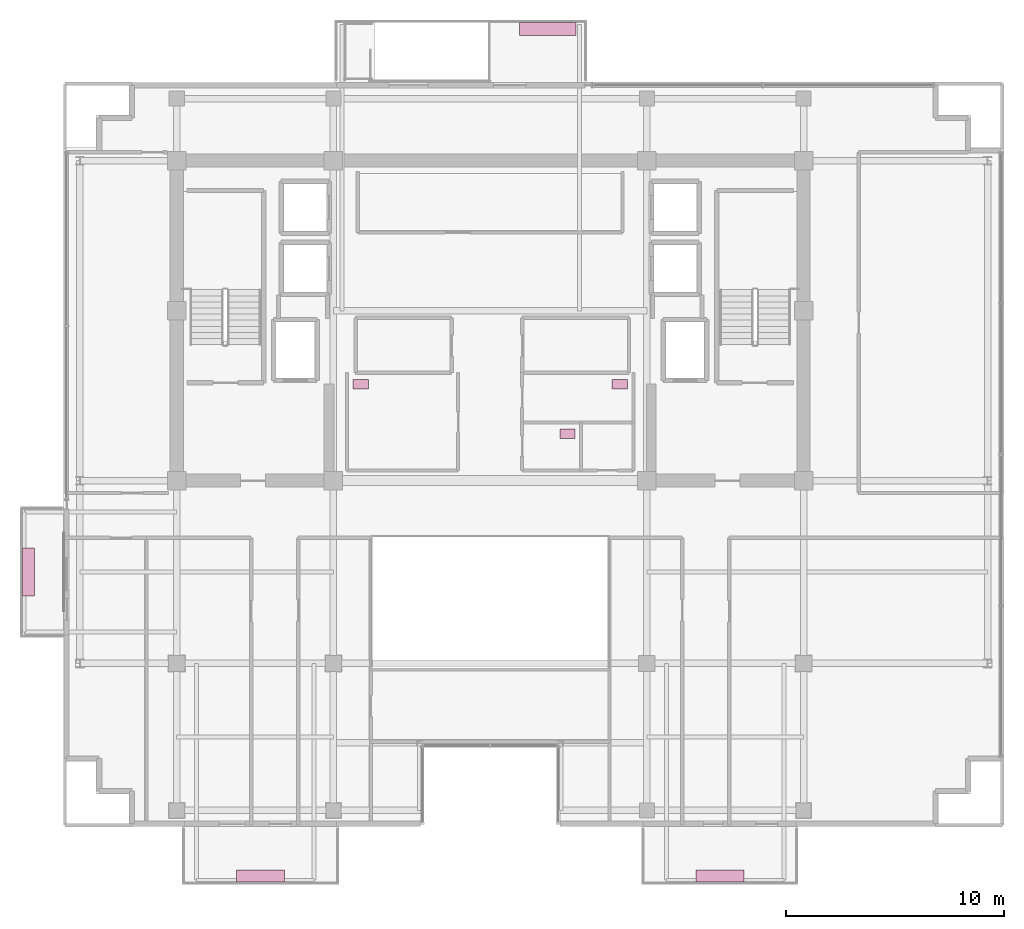
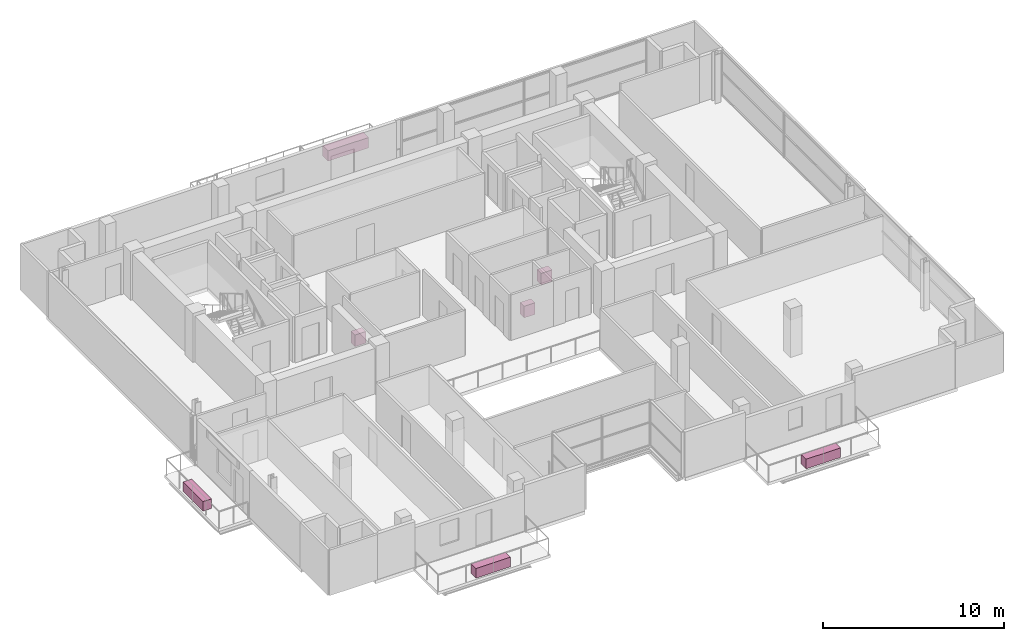
# One storey, part 24 of 24: 7 furnishings.
"""IFC4 building model written with IfcOpenShell, lengths in metres."""

from ifc_helpers import new_model, si_unit, direction, frame, origin, origin_2d, place, context, subcontext, project, spatial, rectangle, extrude, source, transform, mapped, material, type_object, element, save


model = new_model("IFC4")

# Units and contexts
model_context = context("Model", 3, precision=1e-05, world=origin(), true_north=direction((0.0, 1.0)))
body_context = subcontext(model_context, "Body", "Model", "MODEL_VIEW")
ifc_project = project(units=[si_unit("LENGTHUNIT", "METRE"), si_unit("AREAUNIT", "SQUARE_METRE"), si_unit("VOLUMEUNIT", "CUBIC_METRE"), si_unit("PLANEANGLEUNIT", "RADIAN"), si_unit("MASSUNIT", "GRAM", prefix="KILO")], contexts=[model_context])

# Site, building, storey
site_placement = place(None, origin())
site = spatial("IfcSite", under=ifc_project, at=site_placement, CompositionType="ELEMENT")
building_placement = place(site_placement, origin())
building = spatial("IfcBuilding", under=site, at=building_placement, Name="Zarnakvel Exchange Tower", CompositionType="ELEMENT")
storey_placement = place(building_placement, frame((0.0, 0.0, 235.300048828125)))
storey = spatial("IfcBuildingStorey", under=building, at=storey_placement, Name="L66", CompositionType="ELEMENT", Elevation=235.300048828125)

# Furnishings
ifc_material_1 = material(Name="Architectural Bronze Anodised Aluminium", Category="aluminium")
furnishing_element_type_1 = type_object("IfcFurnishingElementType", Name="PLNT-02", material=ifc_material_1)
shared_shape_1 = source(origin(), body_context, "Body", "SweptSolid", [
    extrude(rectangle(XDim=2.60009765625, YDim=0.60009765625, at=origin_2d()), origin(), (0.0, 0.0, 1.0), 0.699951171875),
])
furnishing_placement = place(storey_placement, frame((2.64990234375, 19.5400390625, 0.0), z_axis=(0.0, 0.0, 1.0), x_axis=(1.0, 0.0, 0.0)))
element("IfcFurnishingElement", 1, at=furnishing_placement, inside=storey, type_object=furnishing_element_type_1, Name="L66 Spiral Sky-Terrace Tropical Planter", ObjectType="PLANTER", context=body_context, shape_type="MappedRepresentation", body=[
    mapped(shared_shape_1, transform((0.0, 0.0, 0.0), x_axis=(1.0, 0.0, 0.0), y_axis=(0.0, 1.0, 0.0), z_axis=(0.0, 0.0, 1.0), scale=1.0)),
])
furnishing_element_type_2 = type_object("IfcFurnishingElementType", Name="PLNT-01", material=ifc_material_1)
shared_shape_2 = source(origin(), body_context, "Body", "SweptSolid", [
    extrude(rectangle(XDim=2.199951171875, YDim=0.550048828125, at=origin_2d()), origin(), (0.0, 0.0, 1.0), 0.64990234375),
])
for number, where, z_axis, x_axis, name in (
    (2, (-10.550048828125, -19.3701171875, -0.034912109375), (0.0, 0.0, 1.0), (1.0, 0.0, 0.0), "L66 Balcony Greenery Planter BAL-L66-SW"),
    (3, (10.550048828125, -19.3701171875, -0.034912109375), (0.0, 0.0, 1.0), (1.0, 0.0, 0.0), "L66 Balcony Greenery Planter BAL-L66-SE"),
    (4, (-21.219970703125, -5.39990234375, -0.034912109375), (0.0, 0.0, 1.0), (0.0, 1.0, 0.0), "L66 Balcony Greenery Planter BAL-L66-W"),
):
    element("IfcFurnishingElement", number, at=place(storey_placement, frame(where, z_axis=z_axis, x_axis=x_axis)), inside=storey, type_object=furnishing_element_type_2, Name=name, ObjectType="PLANTER", context=body_context, shape_type="MappedRepresentation", body=[
        mapped(shared_shape_2, transform((0.0, 0.0, 0.0), x_axis=(1.0, 0.0, 0.0), y_axis=(0.0, 1.0, 0.0), z_axis=(0.0, 0.0, 1.0), scale=1.0)),
    ])
ifc_material_2 = material(Name="Vitreous China Sanitaryware", Category="ceramic")
furnishing_element_type_3 = type_object("IfcFurnishingElementType", Name="SAN-WC", material=ifc_material_2)
shared_shape_3 = source(origin(), body_context, "Body", "SweptSolid", [
    extrude(rectangle(XDim=0.699951171875, YDim=0.449951171875, at=origin_2d()), origin(), (0.0, 0.0, 1.0), 0.780029296875),
])
for number, where, z_axis, x_axis, name in (
    (5, (-5.949951171875, 3.22998046875, 0.0), (0.0, 0.0, 1.0), (1.0, 0.0, 0.0), "L66 Sanitary Fixture (Male Toilet)"),
    (6, (5.949951171875, 3.22998046875, 0.0), (0.0, 0.0, 1.0), (1.0, 0.0, 0.0), "L66 Sanitary Fixture (Female Toilet)"),
    (7, (3.550048828125, 0.949951171875, 0.0), (0.0, 0.0, 1.0), (1.0, 0.0, 0.0), "L66 Sanitary Fixture (Accessible Toilet)"),
):
    element("IfcFurnishingElement", number, at=place(storey_placement, frame(where, z_axis=z_axis, x_axis=x_axis)), inside=storey, type_object=furnishing_element_type_3, Name=name, ObjectType="SANITARY_FIXTURE", context=body_context, shape_type="MappedRepresentation", body=[
        mapped(shared_shape_3, transform((0.0, 0.0, 0.0), x_axis=(1.0, 0.0, 0.0), y_axis=(0.0, 1.0, 0.0), z_axis=(0.0, 0.0, 1.0), scale=1.0)),
    ])

save(model, "model.ifc")
